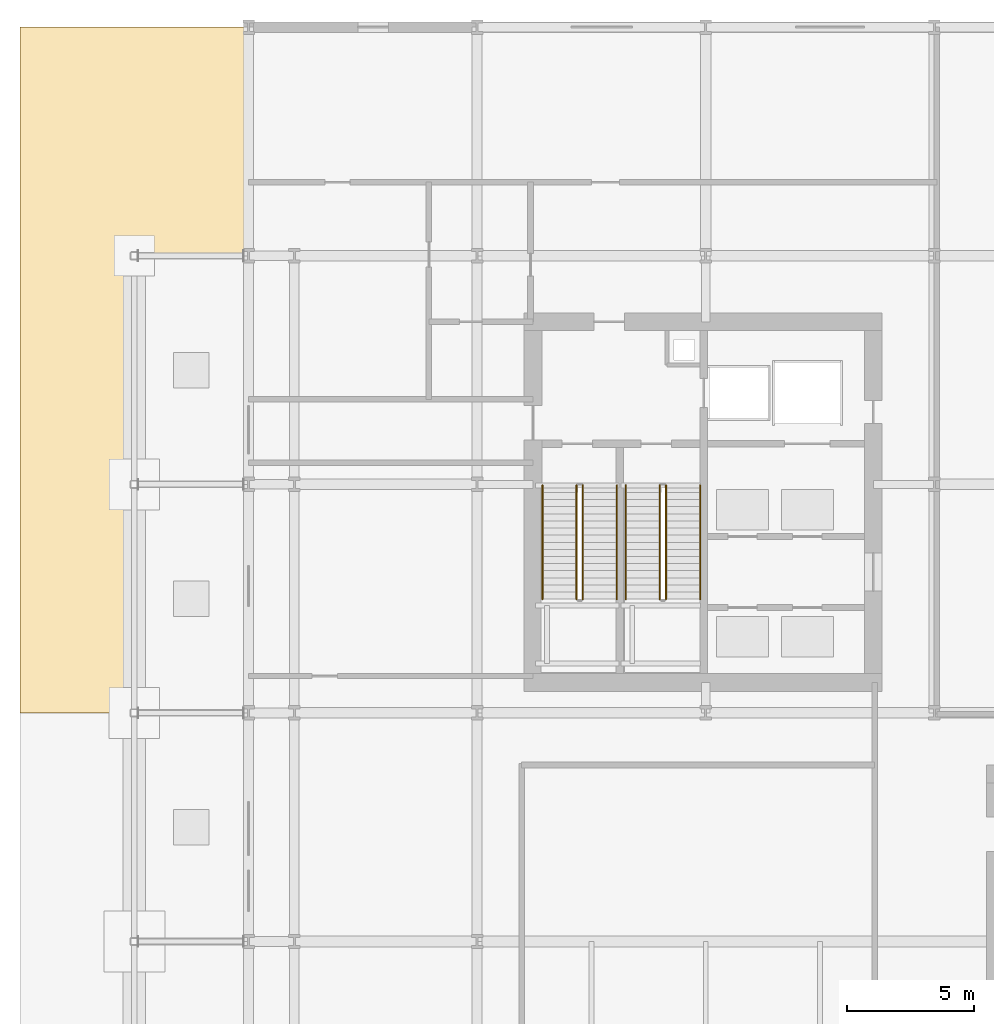
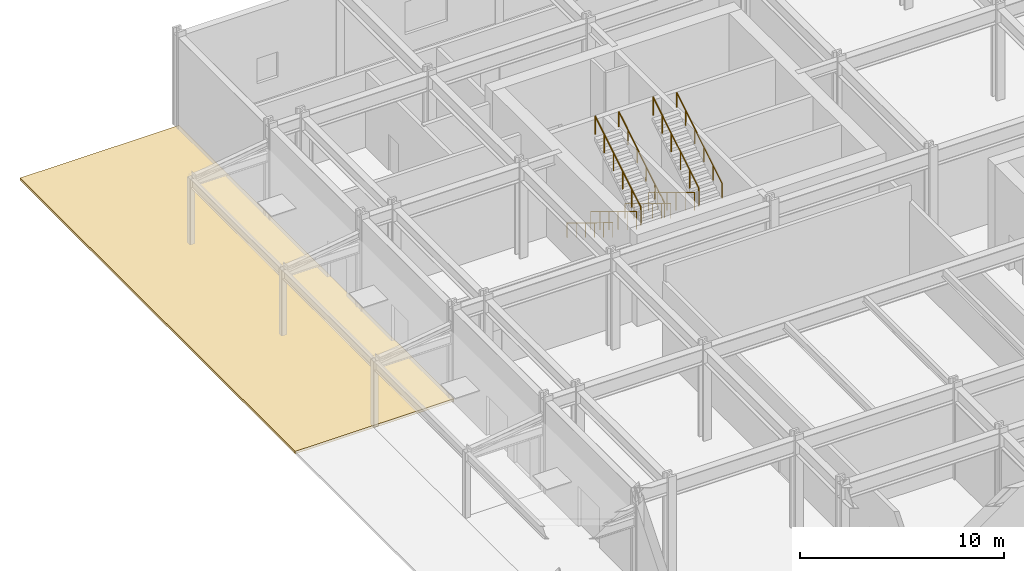
# One storey, part 16 of 19: 8 railings, 1 covering.
"""IFC4 building model written with IfcOpenShell, lengths in metres."""

from ifc_helpers import new_model, si_unit, direction, frame, origin, origin_2d, place, context, subcontext, project, spatial, polyline, circle, outline, extrude, material, layer, layer_set, type_object, element, save


model = new_model("IFC4")

# Units and contexts
model_context = context("Model", 3, precision=1e-05, world=origin(), true_north=direction((0.0, 1.0)))
body_context = subcontext(model_context, "Body", "Model", "MODEL_VIEW")
ifc_project = project(units=[si_unit("LENGTHUNIT", "METRE"), si_unit("AREAUNIT", "SQUARE_METRE"), si_unit("VOLUMEUNIT", "CUBIC_METRE"), si_unit("PLANEANGLEUNIT", "RADIAN"), si_unit("MASSUNIT", "GRAM", prefix="KILO")], contexts=[model_context])

# Site, building, storey
site_placement = place(None, origin())
site = spatial("IfcSite", under=ifc_project, at=site_placement, CompositionType="ELEMENT")
building_placement = place(site_placement, origin())
building = spatial("IfcBuilding", under=site, at=building_placement, Name="Solvaryn Broadcast Tower", CompositionType="ELEMENT")
storey_placement = place(building_placement, origin())
storey = spatial("IfcBuildingStorey", under=building, at=storey_placement, Name="L00", CompositionType="ELEMENT", Elevation=0.0)

# Covering
ifc_material_1 = material(Name="Concrete f'c 50 MPa", Category="concrete")
ifc_layer = layer(ifc_material_1, 0.14990234375)
ifc_layer_set = layer_set([ifc_layer], Name="CV-PLAZA-PAVING")
covering_type = type_object("IfcCoveringType", Name="CV-PLAZA-PAVING", PredefinedType="USERDEFINED", material=ifc_layer_set)
covering_placement = place(storey_placement, frame((0.0, 0.0, -0.14990234375)))
element("IfcCovering", 1, at=covering_placement, inside=storey, type_object=covering_type, Name="Street Landscape Plaza Paving PLAZA-WEST-2", ObjectType="PAVING", PredefinedType="USERDEFINED", context=body_context, shape_type="SweptSolid", body=[
    extrude(outline(polyline([(-9.0, 27.0), (0.0, 27.0), (0.0, 54.0), (-9.0, 54.0), (-9.0, 27.0)])), origin(), (0.0, 0.0, 1.0), 0.14990234375),
])

# Railings
ifc_material_2 = material(Name="Painted Steel Stair Well Guard", Category="steel")
railing_type_1 = type_object("IfcRailingType", Name="RL-STAIR-GUARD", PredefinedType="BALUSTRADE", material=ifc_material_2)
railing_1_placement = place(storey_placement, frame((12.909912109375, 35.9599609375, 0.170654296875)))
element("IfcRailing", 2, at=railing_1_placement, inside=storey, type_object=railing_type_1, Name="L00 ST1 stair guard 1", PredefinedType="BALUSTRADE", context=body_context, shape_type="SweptSolid", body=[
    extrude(circle(Radius=0.02392578125, at=origin_2d()), frame((0.0, 0.0, 1.076171875), z_axis=(0.0, -0.854003478143, 0.520267296031), x_axis=(1.0, 0.0, 0.0)), (0.0, 0.0, 1.0), 5.245849609375),
    extrude(circle(Radius=0.02099609375, at=origin_2d()), origin(), (0.0, 0.0, 1.0), 1.052001953125),
    extrude(circle(Radius=0.02099609375, at=origin_2d()), frame((0.0, -0.89599609375, 0.5458984375)), (0.0, 0.0, 1.0), 1.052001953125),
    extrude(circle(Radius=0.02099609375, at=origin_2d()), frame((0.0, -1.7919921875, 1.091796875)), (0.0, 0.0, 1.0), 1.052001953125),
    extrude(circle(Radius=0.02099609375, at=origin_2d()), frame((0.0, -2.68798828125, 1.637451171875)), (0.0, 0.0, 1.0), 1.052001953125),
    extrude(circle(Radius=0.02099609375, at=origin_2d()), frame((0.0, -3.583984375, 2.183349609375)), (0.0, 0.0, 1.0), 1.052001953125),
    extrude(circle(Radius=0.02099609375, at=origin_2d()), frame((0.0, -4.47998046875, 2.729248046875)), (0.0, 0.0, 1.0), 1.052001953125),
])
railing_2_placement = place(storey_placement, frame((13.159912109375, 31.47998046875, 3.070556640625)))
element("IfcRailing", 3, at=railing_2_placement, inside=storey, type_object=railing_type_1, Name="L00 ST1 stair guard 3", PredefinedType="BALUSTRADE", context=body_context, shape_type="SweptSolid", body=[
    extrude(circle(Radius=0.02392578125, at=origin_2d()), frame((0.0, 0.0, 1.076171875), z_axis=(0.0, 0.853982799912, 0.520301237222), x_axis=(-1.0, 0.0, 0.0)), (0.0, 0.0, 1.0), 5.24609375),
    extrude(circle(Radius=0.02099609375, at=origin_2d()), origin(), (0.0, 0.0, 1.0), 1.052001953125),
    extrude(circle(Radius=0.02099609375, at=origin_2d()), frame((0.0, 0.89599609375, 0.5458984375)), (0.0, 0.0, 1.0), 1.052001953125),
    extrude(circle(Radius=0.02099609375, at=origin_2d()), frame((0.0, 1.7919921875, 1.091796875)), (0.0, 0.0, 1.0), 1.052001953125),
    extrude(circle(Radius=0.02099609375, at=origin_2d()), frame((0.0, 2.68798828125, 1.6376953125)), (0.0, 0.0, 1.0), 1.052001953125),
    extrude(circle(Radius=0.02099609375, at=origin_2d()), frame((0.0, 3.583984375, 2.18359375)), (0.0, 0.0, 1.0), 1.052001953125),
    extrude(circle(Radius=0.02099609375, at=origin_2d()), frame((0.0, 4.47998046875, 2.7294921875)), (0.0, 0.0, 1.0), 1.052001953125),
])
railing_3_placement = place(storey_placement, frame((16.18994140625, 35.9599609375, 0.170654296875)))
element("IfcRailing", 4, at=railing_3_placement, inside=storey, type_object=railing_type_1, Name="L00 ST2 stair guard 1", PredefinedType="BALUSTRADE", context=body_context, shape_type="SweptSolid", body=[
    extrude(circle(Radius=0.02392578125, at=origin_2d()), frame((0.0, 0.0, 1.076171875), z_axis=(0.0, -0.854003478143, 0.520267296031), x_axis=(1.0, 0.0, 0.0)), (0.0, 0.0, 1.0), 5.245849609375),
    extrude(circle(Radius=0.02099609375, at=origin_2d()), origin(), (0.0, 0.0, 1.0), 1.052001953125),
    extrude(circle(Radius=0.02099609375, at=origin_2d()), frame((0.0, -0.89599609375, 0.5458984375)), (0.0, 0.0, 1.0), 1.052001953125),
    extrude(circle(Radius=0.02099609375, at=origin_2d()), frame((0.0, -1.7919921875, 1.091796875)), (0.0, 0.0, 1.0), 1.052001953125),
    extrude(circle(Radius=0.02099609375, at=origin_2d()), frame((0.0, -2.68798828125, 1.637451171875)), (0.0, 0.0, 1.0), 1.052001953125),
    extrude(circle(Radius=0.02099609375, at=origin_2d()), frame((0.0, -3.583984375, 2.183349609375)), (0.0, 0.0, 1.0), 1.052001953125),
    extrude(circle(Radius=0.02099609375, at=origin_2d()), frame((0.0, -4.47998046875, 2.729248046875)), (0.0, 0.0, 1.0), 1.052001953125),
])
railing_4_placement = place(storey_placement, frame((16.43994140625, 31.47998046875, 3.070556640625)))
element("IfcRailing", 5, at=railing_4_placement, inside=storey, type_object=railing_type_1, Name="L00 ST2 stair guard 3", PredefinedType="BALUSTRADE", context=body_context, shape_type="SweptSolid", body=[
    extrude(circle(Radius=0.02392578125, at=origin_2d()), frame((0.0, 0.0, 1.076171875), z_axis=(0.0, 0.853982799912, 0.520301237222), x_axis=(-1.0, 0.0, 0.0)), (0.0, 0.0, 1.0), 5.24609375),
    extrude(circle(Radius=0.02099609375, at=origin_2d()), origin(), (0.0, 0.0, 1.0), 1.052001953125),
    extrude(circle(Radius=0.02099609375, at=origin_2d()), frame((0.0, 0.89599609375, 0.5458984375)), (0.0, 0.0, 1.0), 1.052001953125),
    extrude(circle(Radius=0.02099609375, at=origin_2d()), frame((0.0, 1.7919921875, 1.091796875)), (0.0, 0.0, 1.0), 1.052001953125),
    extrude(circle(Radius=0.02099609375, at=origin_2d()), frame((0.0, 2.68798828125, 1.6376953125)), (0.0, 0.0, 1.0), 1.052001953125),
    extrude(circle(Radius=0.02099609375, at=origin_2d()), frame((0.0, 3.583984375, 2.18359375)), (0.0, 0.0, 1.0), 1.052001953125),
    extrude(circle(Radius=0.02099609375, at=origin_2d()), frame((0.0, 4.47998046875, 2.7294921875)), (0.0, 0.0, 1.0), 1.052001953125),
])
ifc_material_3 = material(Name="Brushed Stainless Steel Tubular Handrail", Category="steel")
railing_type_2 = type_object("IfcRailingType", Name="RL-STAIR-HANDRAIL", PredefinedType="HANDRAIL", material=ifc_material_3)
railing_5_placement = place(storey_placement, frame((11.570068359375, 35.9599609375, 0.170654296875)))
element("IfcRailing", 6, at=railing_5_placement, inside=storey, type_object=railing_type_2, Name="L00 ST1 stair handrail 1", PredefinedType="HANDRAIL", context=body_context, shape_type="SweptSolid", body=[
    extrude(circle(Radius=0.02392578125, at=origin_2d()), frame((0.0, 0.0, 0.8759765625), z_axis=(0.0, -0.854003478143, 0.520267296031), x_axis=(1.0, 0.0, 0.0)), (0.0, 0.0, 1.0), 5.245849609375),
    extrude(circle(Radius=0.02099609375, at=origin_2d()), origin(), (0.0, 0.0, 1.0), 0.851806640625),
    extrude(circle(Radius=0.02099609375, at=origin_2d()), frame((0.0, -0.89599609375, 0.5458984375)), (0.0, 0.0, 1.0), 0.851806640625),
    extrude(circle(Radius=0.02099609375, at=origin_2d()), frame((0.0, -1.7919921875, 1.091796875)), (0.0, 0.0, 1.0), 0.851806640625),
    extrude(circle(Radius=0.02099609375, at=origin_2d()), frame((0.0, -2.68798828125, 1.637451171875)), (0.0, 0.0, 1.0), 0.851806640625),
    extrude(circle(Radius=0.02099609375, at=origin_2d()), frame((0.0, -3.583984375, 2.183349609375)), (0.0, 0.0, 1.0), 0.851806640625),
    extrude(circle(Radius=0.02099609375, at=origin_2d()), frame((0.0, -4.47998046875, 2.729248046875)), (0.0, 0.0, 1.0), 0.851806640625),
])
railing_6_placement = place(storey_placement, frame((14.5, 31.47998046875, 3.070556640625)))
element("IfcRailing", 7, at=railing_6_placement, inside=storey, type_object=railing_type_2, Name="L00 ST1 stair handrail 2", PredefinedType="HANDRAIL", context=body_context, shape_type="SweptSolid", body=[
    extrude(circle(Radius=0.02392578125, at=origin_2d()), frame((0.0, 0.0, 0.8759765625), z_axis=(0.0, 0.853982799912, 0.520301237222), x_axis=(-1.0, 0.0, 0.0)), (0.0, 0.0, 1.0), 5.24609375),
    extrude(circle(Radius=0.02099609375, at=origin_2d()), origin(), (0.0, 0.0, 1.0), 0.851806640625),
    extrude(circle(Radius=0.02099609375, at=origin_2d()), frame((0.0, 0.89599609375, 0.5458984375)), (0.0, 0.0, 1.0), 0.851806640625),
    extrude(circle(Radius=0.02099609375, at=origin_2d()), frame((0.0, 1.7919921875, 1.091796875)), (0.0, 0.0, 1.0), 0.851806640625),
    extrude(circle(Radius=0.02099609375, at=origin_2d()), frame((0.0, 2.68798828125, 1.6376953125)), (0.0, 0.0, 1.0), 0.851806640625),
    extrude(circle(Radius=0.02099609375, at=origin_2d()), frame((0.0, 3.583984375, 2.18359375)), (0.0, 0.0, 1.0), 0.851806640625),
    extrude(circle(Radius=0.02099609375, at=origin_2d()), frame((0.0, 4.47998046875, 2.7294921875)), (0.0, 0.0, 1.0), 0.851806640625),
])
railing_7_placement = place(storey_placement, frame((14.85009765625, 35.9599609375, 0.170654296875)))
element("IfcRailing", 8, at=railing_7_placement, inside=storey, type_object=railing_type_2, Name="L00 ST2 stair handrail 1", PredefinedType="HANDRAIL", context=body_context, shape_type="SweptSolid", body=[
    extrude(circle(Radius=0.02392578125, at=origin_2d()), frame((0.0, 0.0, 0.8759765625), z_axis=(0.0, -0.854003478143, 0.520267296031), x_axis=(1.0, 0.0, 0.0)), (0.0, 0.0, 1.0), 5.245849609375),
    extrude(circle(Radius=0.02099609375, at=origin_2d()), origin(), (0.0, 0.0, 1.0), 0.851806640625),
    extrude(circle(Radius=0.02099609375, at=origin_2d()), frame((0.0, -0.89599609375, 0.5458984375)), (0.0, 0.0, 1.0), 0.851806640625),
    extrude(circle(Radius=0.02099609375, at=origin_2d()), frame((0.0, -1.7919921875, 1.091796875)), (0.0, 0.0, 1.0), 0.851806640625),
    extrude(circle(Radius=0.02099609375, at=origin_2d()), frame((0.0, -2.68798828125, 1.637451171875)), (0.0, 0.0, 1.0), 0.851806640625),
    extrude(circle(Radius=0.02099609375, at=origin_2d()), frame((0.0, -3.583984375, 2.183349609375)), (0.0, 0.0, 1.0), 0.851806640625),
    extrude(circle(Radius=0.02099609375, at=origin_2d()), frame((0.0, -4.47998046875, 2.729248046875)), (0.0, 0.0, 1.0), 0.851806640625),
])
railing_8_placement = place(storey_placement, frame((17.780029296875, 31.47998046875, 3.070556640625)))
element("IfcRailing", 9, at=railing_8_placement, inside=storey, type_object=railing_type_2, Name="L00 ST2 stair handrail 2", PredefinedType="HANDRAIL", context=body_context, shape_type="SweptSolid", body=[
    extrude(circle(Radius=0.02392578125, at=origin_2d()), frame((0.0, 0.0, 0.8759765625), z_axis=(0.0, 0.853982799912, 0.520301237222), x_axis=(-1.0, 0.0, 0.0)), (0.0, 0.0, 1.0), 5.24609375),
    extrude(circle(Radius=0.02099609375, at=origin_2d()), origin(), (0.0, 0.0, 1.0), 0.851806640625),
    extrude(circle(Radius=0.02099609375, at=origin_2d()), frame((0.0, 0.89599609375, 0.5458984375)), (0.0, 0.0, 1.0), 0.851806640625),
    extrude(circle(Radius=0.02099609375, at=origin_2d()), frame((0.0, 1.7919921875, 1.091796875)), (0.0, 0.0, 1.0), 0.851806640625),
    extrude(circle(Radius=0.02099609375, at=origin_2d()), frame((0.0, 2.68798828125, 1.6376953125)), (0.0, 0.0, 1.0), 0.851806640625),
    extrude(circle(Radius=0.02099609375, at=origin_2d()), frame((0.0, 3.583984375, 2.18359375)), (0.0, 0.0, 1.0), 0.851806640625),
    extrude(circle(Radius=0.02099609375, at=origin_2d()), frame((0.0, 4.47998046875, 2.7294921875)), (0.0, 0.0, 1.0), 0.851806640625),
])

save(model, "model.ifc")
